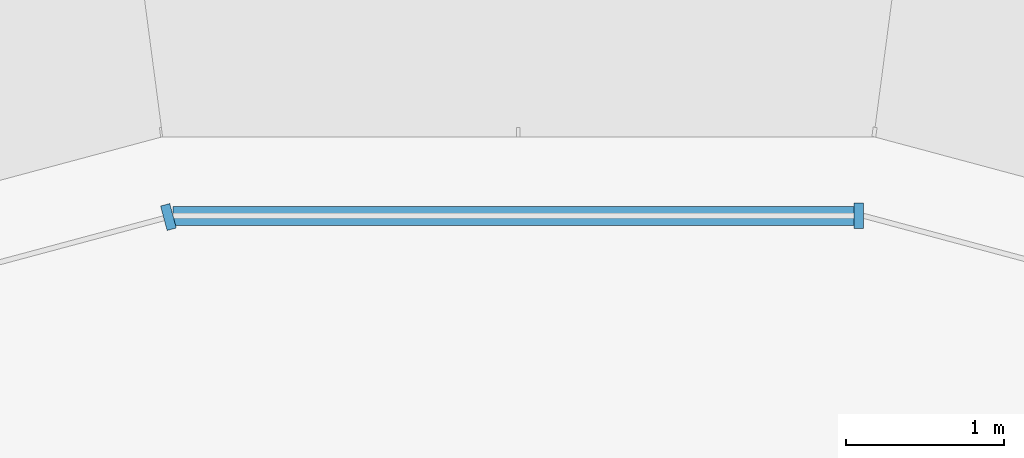
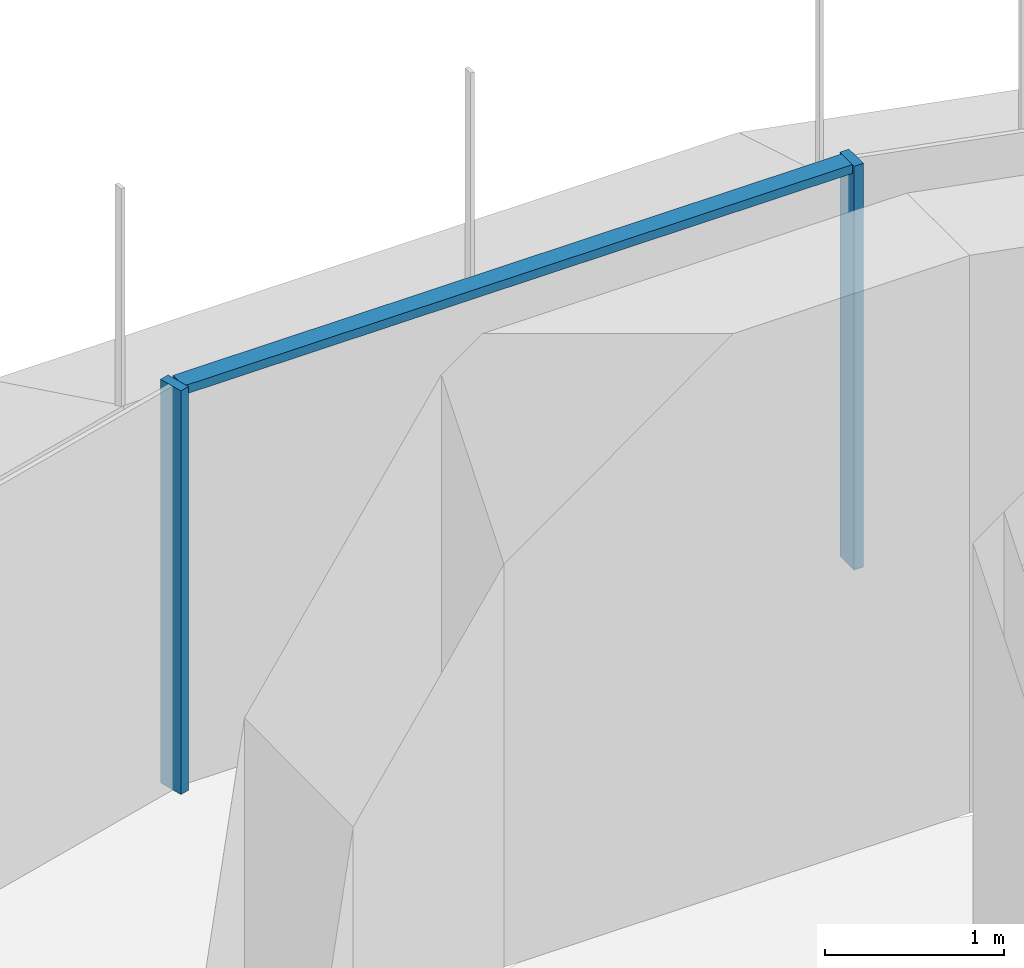
# One storey, part 11 of 20: 3 members, 2 elements without a shape of their own.
"""IFC4 building model written with IfcOpenShell, lengths in metres."""

from ifc_helpers import new_model, si_unit, direction, frame, origin, place, context, subcontext, project, spatial, polyline, outline, extrude, source, transform, mapped, material, type_object, element, aggregate, save


model = new_model("IFC4")

# Units and contexts
model_context = context("Model", 3, precision=1e-05, world=origin(), true_north=direction((0.0, 1.0)))
body_context = subcontext(model_context, "Body", "Model", "MODEL_VIEW")
ifc_project = project(units=[si_unit("LENGTHUNIT", "METRE"), si_unit("AREAUNIT", "SQUARE_METRE"), si_unit("VOLUMEUNIT", "CUBIC_METRE"), si_unit("PLANEANGLEUNIT", "RADIAN"), si_unit("MASSUNIT", "GRAM", prefix="KILO")], contexts=[model_context])

# Site, building, storey
site_placement = place(None, origin())
site = spatial("IfcSite", under=ifc_project, at=site_placement, CompositionType="ELEMENT")
building_placement = place(site_placement, origin())
building = spatial("IfcBuilding", under=site, at=building_placement, Name="Zarbagh Exchange Tower", CompositionType="ELEMENT")
storey_placement = place(building_placement, frame((0.0, 0.0, 148.60009765625)))
storey = spatial("IfcBuildingStorey", under=building, at=storey_placement, Name="L35", CompositionType="ELEMENT", Elevation=148.60009765625)

# Curtain wall, member
ifc_material_1 = material(Name="Anodised aluminium frame and glazing", Category="aluminium")
curtain_wall_type = type_object("IfcCurtainWallType", Name="CWB Ribbon glazing, upper zones", PredefinedType="NOTDEFINED", material=ifc_material_1)
curtain_wall_1_placement = place(storey_placement, origin())
curtain_wall_1 = element("IfcCurtainWall", 1, at=curtain_wall_1_placement, inside=storey, type_object=curtain_wall_type, Name="CWB24 curtain wall", PredefinedType="NOTDEFINED")
ifc_material_2 = material(Name="Anodised aluminium frame", Category="aluminium")
member_type_1 = type_object("IfcMemberType", Name="MUB Mullion, anodised aluminium frame", PredefinedType="MULLION", material=ifc_material_2)
shared_shape_1 = source(origin(), body_context, "Body", "SweptSolid", [
    extrude(outline(polyline([(0.0, -0.080078125), (0.06005859375, -0.080078125), (0.06005859375, 0.080078125), (0.0, 0.080078125), (0.0, -0.080078125)])), origin(), (0.0, 0.0, 1.0), 2.75),
])
placement = place(storey_placement, origin())
member_1 = element("IfcMember", 2, at=placement, type_object=member_type_1, Name="CWB24 mullion 1.1", PredefinedType="MULLION", context=body_context, shape_type="MappedRepresentation", body=[
    mapped(shared_shape_1, transform((2.18408203125, 31.0, 0.0), x_axis=(-1.0, 0.0, 0.0), y_axis=(0.0, -1.0, 0.0), z_axis=(0.0, 0.0, 1.0))),
])

curtain_wall_2_placement = place(storey_placement, origin())
curtain_wall_2 = element("IfcCurtainWall", 3, at=curtain_wall_2_placement, inside=storey, type_object=curtain_wall_type, Name="CWB25 curtain wall", PredefinedType="NOTDEFINED")
member_2 = element("IfcMember", 4, at=placement, type_object=member_type_1, Name="CWB25 mullion 1.1", PredefinedType="MULLION", context=body_context, shape_type="MappedRepresentation", body=[
    mapped(shared_shape_1, transform((-2.18408203125, 31.0, 0.0), x_axis=(-0.965924289636, -0.258824779902, 0.0), y_axis=(0.258824779902, -0.965924289636, 0.0), z_axis=(0.0, 0.0, 1.0))),
])
aggregate(curtain_wall_2, [member_2])

# Member
member_type_2 = type_object("IfcMemberType", Name="TRB Transom, anodised aluminium frame", PredefinedType="USERDEFINED", material=ifc_material_2)
shared_shape_2 = source(origin(), body_context, "Body", "SweptSolid", [
    extrude(outline(polyline([(-0.06005859375, -0.06005859375), (0.0, -0.06005859375), (0.0, 0.06005859375), (-0.06005859375, 0.06005859375), (-0.06005859375, -0.06005859375)])), origin(), (0.0, 0.0, 1.0), 4.308349609375),
])
member_3 = element("IfcMember", 5, at=placement, type_object=member_type_2, Name="CWB24 transom 1.1", ObjectType="TRANSOM", PredefinedType="USERDEFINED", context=body_context, shape_type="MappedRepresentation", body=[
    mapped(shared_shape_2, transform((2.124267578125, 31.0, 2.75), x_axis=(0.0, 0.0, 1.0), y_axis=(0.0, 1.0, 0.0), z_axis=(-1.0, 0.0, 0.0))),
])

aggregate(curtain_wall_1, [member_1, member_3])

save(model, "model.ifc")
